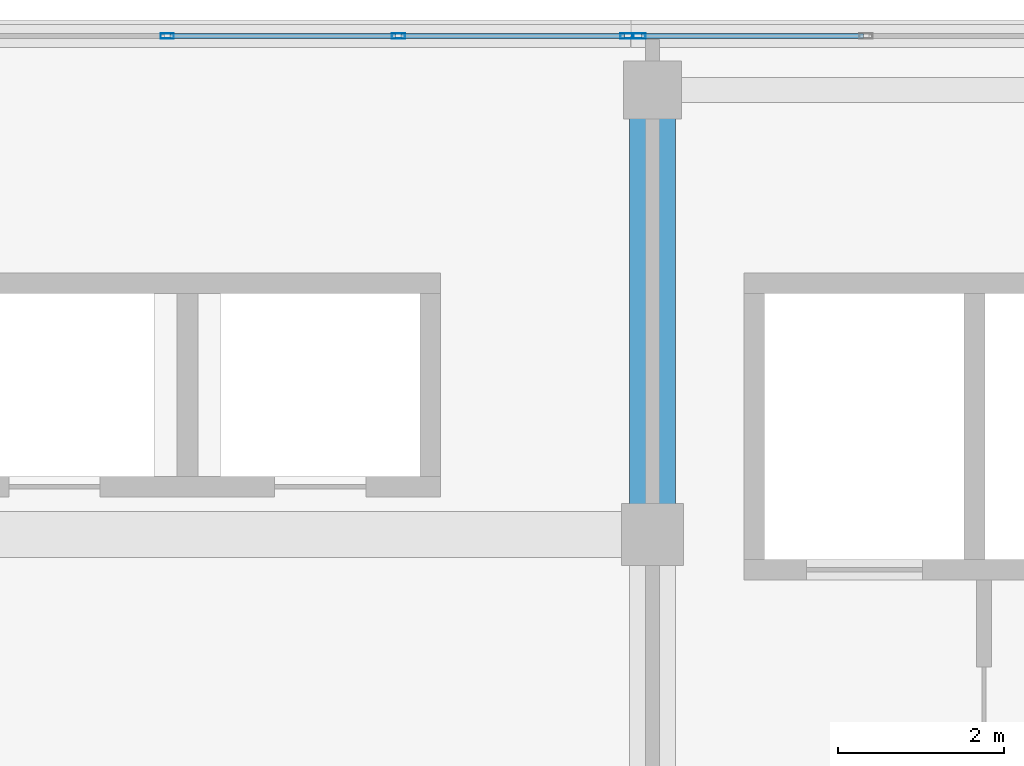
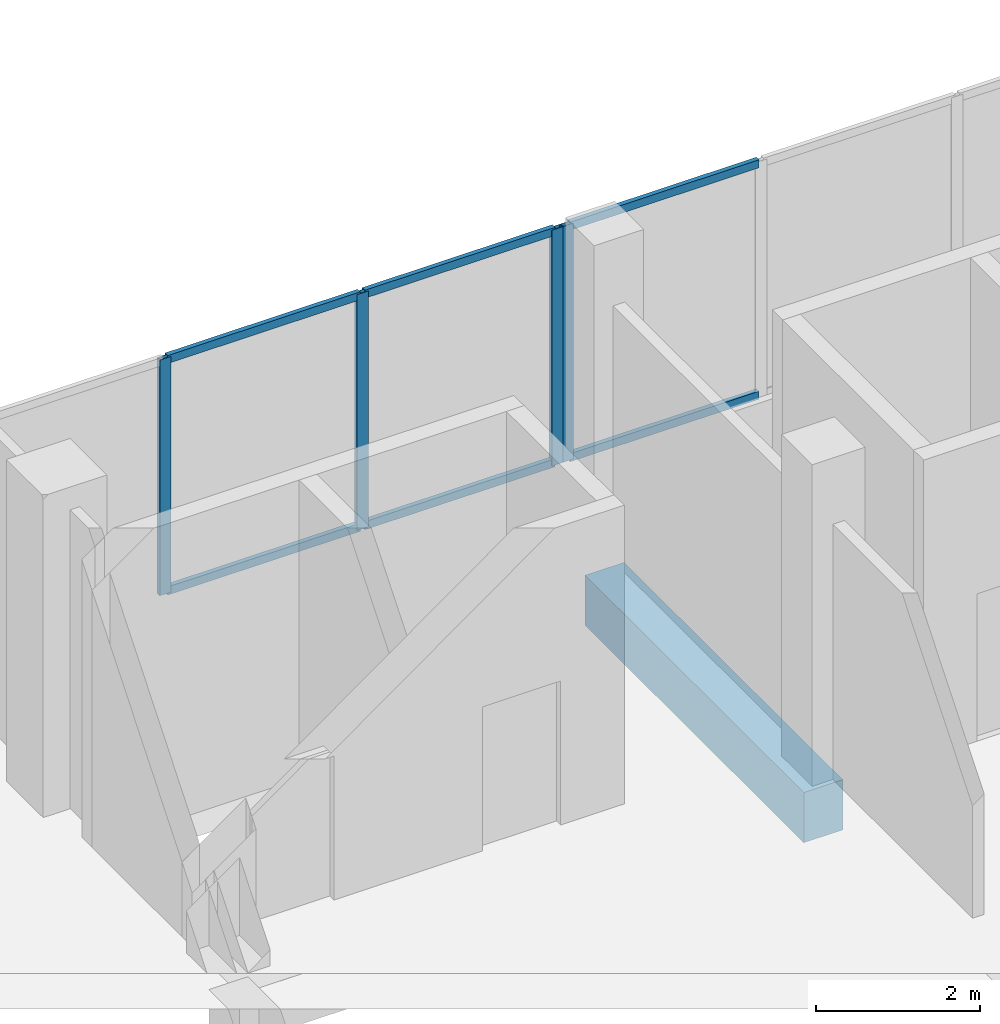
# One storey, part 89 of 155: 10 members, 1 beam, 2 elements without a shape of their own.
"""IFC4 building model written with IfcOpenShell, lengths in metres."""

import ifcopenshell
import ifcopenshell.guid

model = None  # the IFC model being written
_history = None  # IfcOwnerHistory: only IFC2X3 demands one
_inside = {}  # id of a spatial element -> (the spatial element, [elements in it])
_under = {}  # id of a project, library or spatial element -> (it, [spatial elements below it])
_declared = {}  # id of a project -> (the project, [libraries it declares])
_typed = {}  # id of a type object -> (the type object, [elements of that type])
_made_of = {}  # id of a material, layer set ... -> (it, [elements and type objects made of it])


def new_model(schema):
    """Start an empty IFC model of exactly this schema.

    Asked for "IFC4X3", IfcOpenShell would pick the latest addendum, in which some entities
    have other attributes; the version numbers below select the first issue.
    IFC2X3 requires an IfcOwnerHistory on every rooted entity: one is made here for all.
    """
    global model, _history
    if schema == "IFC4X3":
        model = ifcopenshell.file(schema_version=(4, 3, 0, 0))
    else:
        model = ifcopenshell.file(schema=schema)
    _inside.clear()
    _under.clear()
    _declared.clear()
    _typed.clear()
    _made_of.clear()
    _history = None
    if model.schema == "IFC2X3":
        org = make("IfcOrganization", Name="unknown")
        user = make(
            "IfcPersonAndOrganization",
            ThePerson=make("IfcPerson", FamilyName="unknown"),
            TheOrganization=org,
        )
        app = make(
            "IfcApplication",
            ApplicationDeveloper=org,
            Version="unknown",
            ApplicationFullName="unknown",
            ApplicationIdentifier="unknown",
        )
        _history = make(
            "IfcOwnerHistory",
            OwningUser=user,
            OwningApplication=app,
            ChangeAction="ADDED",
            CreationDate=0,
        )
    return model


def make(cls, **values):
    """One entity of the class cls with the attributes given. An attribute that is None is left unset."""
    return model.create_entity(
        cls, **{name: value for name, value in values.items() if value is not None}
    )


def rooted(cls, **values):
    """An entity with a GlobalId (a new one), such as an element, a storey or a relation."""
    return make(cls, GlobalId=ifcopenshell.guid.new(), OwnerHistory=_history, **values)


def si_unit(unit_type, name, prefix=None):
    """IfcSIUnit, for example si_unit("LENGTHUNIT", "METRE", prefix="MILLI")."""
    return make("IfcSIUnit", UnitType=unit_type, Prefix=prefix, Name=name)


def assignment(units):
    """IfcUnitAssignment: the units of a project."""
    return None if units is None else make("IfcUnitAssignment", Units=units)


def point(xyz):
    """IfcCartesianPoint."""
    return None if xyz is None else make("IfcCartesianPoint", Coordinates=xyz)


def direction(xyz):
    """IfcDirection."""
    return None if xyz is None else make("IfcDirection", DirectionRatios=xyz)


def frame(location, z_axis=None, x_axis=None):
    """IfcAxis2Placement3D, a coordinate frame: its origin and axes. An axis left out is left unset."""
    return make(
        "IfcAxis2Placement3D",
        Location=point(location),
        Axis=direction(z_axis),
        RefDirection=direction(x_axis),
    )


def frame_2d(location, x_axis=None):
    """IfcAxis2Placement2D, a coordinate frame in the plane: its origin and x axis."""
    return make(
        "IfcAxis2Placement2D", Location=point(location), RefDirection=direction(x_axis)
    )


def origin():
    """The frame at (0, 0, 0) with its axes left unset."""
    return frame((0.0, 0.0, 0.0))


def origin_2d():
    """The frame at (0, 0) in the plane with its x axis left unset."""
    return frame_2d((0.0, 0.0))


def place(relative_to, where):
    """IfcLocalPlacement: puts the frame where relative to a parent placement (None: the world)."""
    return make(
        "IfcLocalPlacement", PlacementRelTo=relative_to, RelativePlacement=where
    )


def context(
    kind, dimensions, precision=None, world=None, true_north=None, identifier=None
):
    """IfcGeometricRepresentationContext, for example the 3D "Model" context."""
    return make(
        "IfcGeometricRepresentationContext",
        ContextIdentifier=identifier,
        ContextType=kind,
        CoordinateSpaceDimension=dimensions,
        Precision=precision,
        WorldCoordinateSystem=world,
        TrueNorth=true_north,
    )


def subcontext(parent, identifier, kind, view, scale=None):
    """IfcGeometricRepresentationSubContext, for example "Body" below "Model"."""
    return make(
        "IfcGeometricRepresentationSubContext",
        ContextIdentifier=identifier,
        ContextType=kind,
        ParentContext=parent,
        TargetScale=scale,
        TargetView=view,
    )


def project(units=None, contexts=None):
    """IfcProject with its units and contexts."""
    return rooted(
        "IfcProject",
        Name="project",
        RepresentationContexts=contexts,
        UnitsInContext=assignment(units),
    )


def spatial(cls, under=None, at=None, **own):
    """A site, building, storey or space (cls), placed at a placement, below another one or the project."""
    s = rooted(cls, ObjectPlacement=at, **own)
    if under is not None:
        _under.setdefault(under.id(), (under, []))[1].append(s)
    return s


def profile(cls, at=None, kind="AREA", **sizes):
    """A parametric profile (cls). Its sizes go by their IFC names, for example OverallWidth=200.0."""
    return make(cls, ProfileType=kind, Position=at, **sizes)


def rectangle(**sizes):
    """IfcRectangleProfileDef."""
    return profile("IfcRectangleProfileDef", **sizes)


def hollow_rectangle(**sizes):
    """IfcRectangleHollowProfileDef."""
    return profile("IfcRectangleHollowProfileDef", **sizes)


def extrude(swept, where, along, depth):
    """IfcExtrudedAreaSolid: the profile swept, set in the frame where, extruded along a direction by depth."""
    return make(
        "IfcExtrudedAreaSolid",
        SweptArea=swept,
        Position=where,
        ExtrudedDirection=direction(along),
        Depth=depth,
    )


def shape(context_of_items, identifier, shape_type, items):
    """IfcShapeRepresentation: the items that make up one representation, for example the "Body"."""
    return make(
        "IfcShapeRepresentation",
        ContextOfItems=context_of_items,
        RepresentationIdentifier=identifier,
        RepresentationType=shape_type,
        Items=items,
    )


def material(Name=None, Category=None):
    """IfcMaterial."""
    return make("IfcMaterial", Name=Name, Category=Category)


def material_profile(
    of_material, cross_section, Name=None, Category=None, Priority=None
):
    """IfcMaterialProfile: a cross section and its material."""
    return make(
        "IfcMaterialProfile",
        Name=Name,
        Material=of_material,
        Profile=cross_section,
        Priority=Priority,
        Category=Category,
    )


def profile_set(profiles, Name=None, composite=None):
    """IfcMaterialProfileSet."""
    return make(
        "IfcMaterialProfileSet",
        Name=Name,
        MaterialProfiles=profiles,
        CompositeProfile=composite,
    )


def made_of(thing, what):
    """Note that an element or type object is made of a material, layer set ...; save() writes the relation."""
    if what is not None:
        _made_of.setdefault(what.id(), (what, []))[1].append(thing)
    return thing


def type_object(cls, material=None, **own):
    """A type object (cls), such as IfcWallType, which elements share."""
    return made_of(rooted(cls, **own), material)


def element(
    cls,
    number,
    at=None,
    inside=None,
    cuts=None,
    type_object=None,
    material=None,
    context=None,
    identifier="Body",
    shape_type=None,
    held_by="IfcProductDefinitionShape",
    body=None,
    shapes=None,
    **own,
):
    """One element of the class cls, such as IfcWall. Its Tag is "e" and its number.

    at: its placement. inside: the storey or other place that contains it. cuts: it is an
    opening in that element (IfcRelVoidsElement). A single representation is given by context,
    identifier, shape_type and body (its items); several are given by shapes. held_by: the class
    of the entity that holds the representations. save() writes the other relations.
    """
    e = rooted(cls, Tag="e%d" % number, ObjectPlacement=at, **own)
    if body is not None:
        shapes = [shape(context, identifier, shape_type, body)]
    if shapes is not None:
        e.Representation = make(held_by, Representations=shapes)
    if inside is not None:
        _inside.setdefault(inside.id(), (inside, []))[1].append(e)
    if cuts is not None:
        rooted(
            "IfcRelVoidsElement", RelatingBuildingElement=cuts, RelatedOpeningElement=e
        )
    if type_object is not None:
        _typed.setdefault(type_object.id(), (type_object, []))[1].append(e)
    return made_of(e, material)


def aggregate(whole, parts):
    """IfcRelAggregates: a whole, such as a stair, and the parts it consists of."""
    return rooted("IfcRelAggregates", RelatingObject=whole, RelatedObjects=parts)


def save(model, path):
    """Write the relations noted so far, then the file.

    IfcRelAggregates (storeys below a building ...), IfcRelContainedInSpatialStructure (elements
    in a storey), IfcRelDefinesByType, IfcRelAssociatesMaterial and IfcRelDeclares: one each for
    every whole, place, type object, material and project.
    """
    for whole, parts in _under.values():
        aggregate(whole, parts)
    for where, things in _inside.values():
        rooted(
            "IfcRelContainedInSpatialStructure",
            RelatedElements=things,
            RelatingStructure=where,
        )
    for kind, things in _typed.values():
        rooted("IfcRelDefinesByType", RelatedObjects=things, RelatingType=kind)
    for what, things in _made_of.values():
        rooted("IfcRelAssociatesMaterial", RelatedObjects=things, RelatingMaterial=what)
    for by, libraries in _declared.values():
        rooted("IfcRelDeclares", RelatingContext=by, RelatedDefinitions=libraries)
    model.write(path)


model = new_model("IFC4")

# Units and contexts
model_context = context("Model", 3, precision=1e-05, world=origin(), true_north=direction((0.0, 1.0)))
body_context = subcontext(model_context, "Body", "Model", "MODEL_VIEW")
ifc_project = project(units=[si_unit("LENGTHUNIT", "METRE"), si_unit("AREAUNIT", "SQUARE_METRE"), si_unit("VOLUMEUNIT", "CUBIC_METRE"), si_unit("PLANEANGLEUNIT", "RADIAN"), si_unit("MASSUNIT", "GRAM", prefix="KILO")], contexts=[model_context])

# Site, building, storey
site_placement = place(None, origin())
site = spatial("IfcSite", under=ifc_project, at=site_placement, CompositionType="ELEMENT")
building_placement = place(site_placement, origin())
building = spatial("IfcBuilding", under=site, at=building_placement, Name="Selatvlak General Hospital", CompositionType="ELEMENT")
storey_placement = place(building_placement, frame((0.0, 0.0, 10.199951171875)))
storey = spatial("IfcBuildingStorey", under=building, at=storey_placement, Name="L02", CompositionType="ELEMENT", Elevation=10.199951171875)

# Beam
ifc_material_1 = material(Name="Concrete C40/50", Category="concrete")
ifc_material_profile_1 = material_profile(ifc_material_1, rectangle(XDim=0.550048828125, YDim=0.75, at=origin_2d()), Name="RC-BM 550x750")
ifc_profile_set_1 = profile_set([ifc_material_profile_1], Name="Concrete C40/50")
beam_type = type_object("IfcBeamType", Name="BM-G02", PredefinedType="BEAM", material=ifc_profile_set_1)
beam_placement = place(storey_placement, frame((123.60009765625, 114.0, -0.72998046875), z_axis=(0.0, 1.0, 0.0), x_axis=(-1.0, 0.0, 0.0)))
element("IfcBeam", 1, at=beam_placement, inside=storey, type_object=beam_type, Name="Beam BMR-L02-1019", PredefinedType="BEAM", context=body_context, shape_type="SweptSolid", body=[
    extrude(rectangle(XDim=0.550048828125, YDim=0.75, at=origin_2d()), origin(), (0.0, 0.0, 1.0), 5.35009765625),
])

# Curtain wall, members
ifc_material_2 = material(Name="Solar-control Low-E double glazing", Category="glass")
curtain_wall_type_1 = type_object("IfcCurtainWallType", Name="CW-CW-02", PredefinedType="USERDEFINED", material=ifc_material_2)
curtain_wall_1_placement = place(storey_placement, origin())
curtain_wall_1 = element("IfcCurtainWall", 2, at=curtain_wall_1_placement, inside=storey, type_object=curtain_wall_type_1, Name="Glazed facade curtain wall CW-L02-0255", ObjectType="UNITISED CURTAIN WALL", PredefinedType="USERDEFINED")
ifc_material_3 = material(Name="Dark anodised aluminium mullion", Category="aluminium")
ifc_material_profile_2 = material_profile(ifc_material_3, hollow_rectangle(XDim=0.06494140625, YDim=0.159912109375, WallThickness=0.00390625, at=origin_2d()), Name="AL-MUL 65x160x4")
ifc_profile_set_2 = profile_set([ifc_material_profile_2], Name="Dark anodised aluminium mullion")
member_type_1 = type_object("IfcMemberType", Name="CWM-01", PredefinedType="MULLION", material=ifc_profile_set_2)
member_1_placement = place(storey_placement, frame((117.75732421875, 120.0, 0.93994140625), z_axis=(0.0, 0.0, 1.0), x_axis=(0.0, 1.0, 0.0)))
member_1 = element("IfcMember", 3, at=member_1_placement, type_object=member_type_1, Name="CW-02 mullion 2", PredefinedType="MULLION", context=body_context, shape_type="SweptSolid", body=[
    extrude(hollow_rectangle(XDim=0.06494140625, YDim=0.159912109375, WallThickness=0.00390625, at=origin_2d()), origin(), (0.0, 0.0, 1.0), 3.52001953125),
])
member_2_placement = place(storey_placement, frame((120.540771484375, 120.0, 0.93994140625), z_axis=(0.0, 0.0, 1.0), x_axis=(0.0, 1.0, 0.0)))
member_2 = element("IfcMember", 4, at=member_2_placement, type_object=member_type_1, Name="CW-02 mullion 3", PredefinedType="MULLION", context=body_context, shape_type="SweptSolid", body=[
    extrude(hollow_rectangle(XDim=0.06494140625, YDim=0.159912109375, WallThickness=0.00390625, at=origin_2d()), origin(), (0.0, 0.0, 1.0), 3.52001953125),
])
member_3_placement = place(storey_placement, frame((123.29150390625, 120.0, 0.93994140625), z_axis=(0.0, 0.0, 1.0), x_axis=(0.0, 1.0, 0.0)))
member_3 = element("IfcMember", 5, at=member_3_placement, type_object=member_type_1, Name="CW-02 mullion 4", PredefinedType="MULLION", context=body_context, shape_type="SweptSolid", body=[
    extrude(hollow_rectangle(XDim=0.06494140625, YDim=0.159912109375, WallThickness=0.00390625, at=origin_2d()), origin(), (0.0, 0.0, 1.0), 3.52001953125),
])

# Curtain wall, member
curtain_wall_type_2 = type_object("IfcCurtainWallType", Name="CW-CW-01", PredefinedType="USERDEFINED", material=ifc_material_2)
curtain_wall_2_placement = place(storey_placement, origin())
curtain_wall_2 = element("IfcCurtainWall", 6, at=curtain_wall_2_placement, inside=storey, type_object=curtain_wall_type_2, Name="Glazed facade curtain wall CW-L02-0256", ObjectType="UNITISED CURTAIN WALL", PredefinedType="USERDEFINED")
member_4_placement = place(storey_placement, frame((123.4365234375, 120.0, 0.93994140625), z_axis=(0.0, 0.0, 1.0), x_axis=(0.0, 1.0, 0.0)))
member_4 = element("IfcMember", 7, at=member_4_placement, type_object=member_type_1, Name="CW-01 mullion 1", PredefinedType="MULLION", context=body_context, shape_type="SweptSolid", body=[
    extrude(hollow_rectangle(XDim=0.06494140625, YDim=0.159912109375, WallThickness=0.00390625, at=origin_2d()), origin(), (0.0, 0.0, 1.0), 3.52001953125),
])

# Member
ifc_material_profile_3 = material_profile(ifc_material_3, hollow_rectangle(XDim=0.06494140625, YDim=0.1201171875, WallThickness=0.00390625, at=origin_2d()), Name="AL-TRN 65x120x4")
ifc_profile_set_3 = profile_set([ifc_material_profile_3], Name="Dark anodised aluminium mullion")
member_type_2 = type_object("IfcMemberType", Name="CWT-01", PredefinedType="USERDEFINED", material=ifc_profile_set_3)
member_5_placement = place(storey_placement, frame((117.789794921875, 120.0, 0.97265625), z_axis=(1.0, 0.0, 0.0), x_axis=(0.0, 1.0, 0.0)))
member_5 = element("IfcMember", 8, at=member_5_placement, type_object=member_type_2, Name="CW-02 transom 2.1", ObjectType="TRANSOM", PredefinedType="USERDEFINED", context=body_context, shape_type="SweptSolid", body=[
    extrude(hollow_rectangle(XDim=0.06494140625, YDim=0.1201171875, WallThickness=0.00390625, at=origin_2d()), origin(), (0.0, 0.0, 1.0), 2.71826171875),
])

member_6_placement = place(storey_placement, frame((117.789794921875, 120.0, 4.427490234375), z_axis=(1.0, 0.0, 0.0), x_axis=(0.0, 1.0, 0.0)))
member_6 = element("IfcMember", 9, at=member_6_placement, type_object=member_type_2, Name="CW-02 transom 2.2", ObjectType="TRANSOM", PredefinedType="USERDEFINED", context=body_context, shape_type="SweptSolid", body=[
    extrude(hollow_rectangle(XDim=0.06494140625, YDim=0.1201171875, WallThickness=0.00390625, at=origin_2d()), origin(), (0.0, 0.0, 1.0), 2.71826171875),
])

member_7_placement = place(storey_placement, frame((120.5732421875, 120.0, 0.97265625), z_axis=(1.0, 0.0, 0.0), x_axis=(0.0, 1.0, 0.0)))
member_7 = element("IfcMember", 10, at=member_7_placement, type_object=member_type_2, Name="CW-02 transom 3.1", ObjectType="TRANSOM", PredefinedType="USERDEFINED", context=body_context, shape_type="SweptSolid", body=[
    extrude(hollow_rectangle(XDim=0.06494140625, YDim=0.1201171875, WallThickness=0.00390625, at=origin_2d()), origin(), (0.0, 0.0, 1.0), 2.685791015625),
])

member_8_placement = place(storey_placement, frame((120.5732421875, 120.0, 4.427490234375), z_axis=(1.0, 0.0, 0.0), x_axis=(0.0, 1.0, 0.0)))
member_8 = element("IfcMember", 11, at=member_8_placement, type_object=member_type_2, Name="CW-02 transom 3.2", ObjectType="TRANSOM", PredefinedType="USERDEFINED", context=body_context, shape_type="SweptSolid", body=[
    extrude(hollow_rectangle(XDim=0.06494140625, YDim=0.1201171875, WallThickness=0.00390625, at=origin_2d()), origin(), (0.0, 0.0, 1.0), 2.685791015625),
])

aggregate(curtain_wall_1, [member_1, member_2, member_3, member_5, member_6, member_7, member_8])

member_9_placement = place(storey_placement, frame((123.468994140625, 120.0, 0.97265625), z_axis=(1.0, 0.0, 0.0), x_axis=(0.0, 1.0, 0.0)))
member_9 = element("IfcMember", 12, at=member_9_placement, type_object=member_type_2, Name="CW-01 transom 1.1", ObjectType="TRANSOM", PredefinedType="USERDEFINED", context=body_context, shape_type="SweptSolid", body=[
    extrude(hollow_rectangle(XDim=0.06494140625, YDim=0.1201171875, WallThickness=0.00390625, at=origin_2d()), origin(), (0.0, 0.0, 1.0), 2.669189453125),
])

member_10_placement = place(storey_placement, frame((123.468994140625, 120.0, 4.427490234375), z_axis=(1.0, 0.0, 0.0), x_axis=(0.0, 1.0, 0.0)))
member_10 = element("IfcMember", 13, at=member_10_placement, type_object=member_type_2, Name="CW-01 transom 1.2", ObjectType="TRANSOM", PredefinedType="USERDEFINED", context=body_context, shape_type="SweptSolid", body=[
    extrude(hollow_rectangle(XDim=0.06494140625, YDim=0.1201171875, WallThickness=0.00390625, at=origin_2d()), origin(), (0.0, 0.0, 1.0), 2.669189453125),
])

aggregate(curtain_wall_2, [member_4, member_9, member_10])

save(model, "model.ifc")
